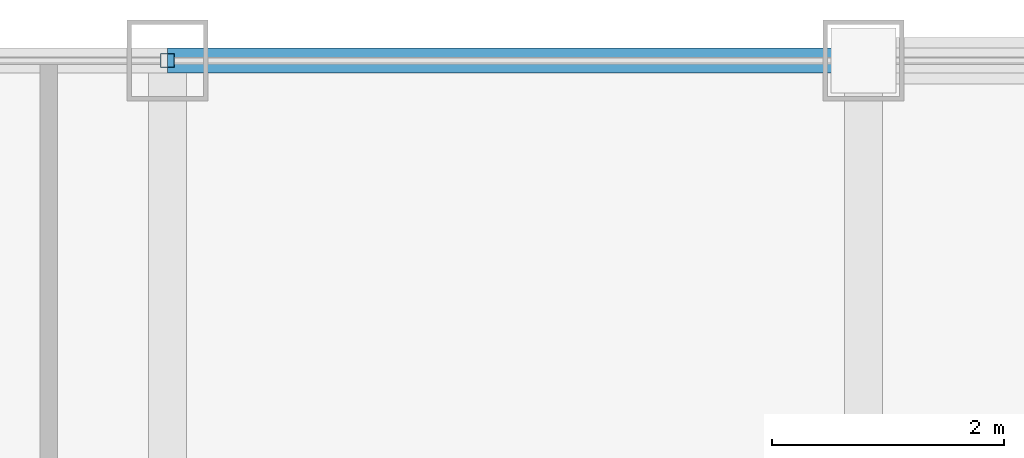
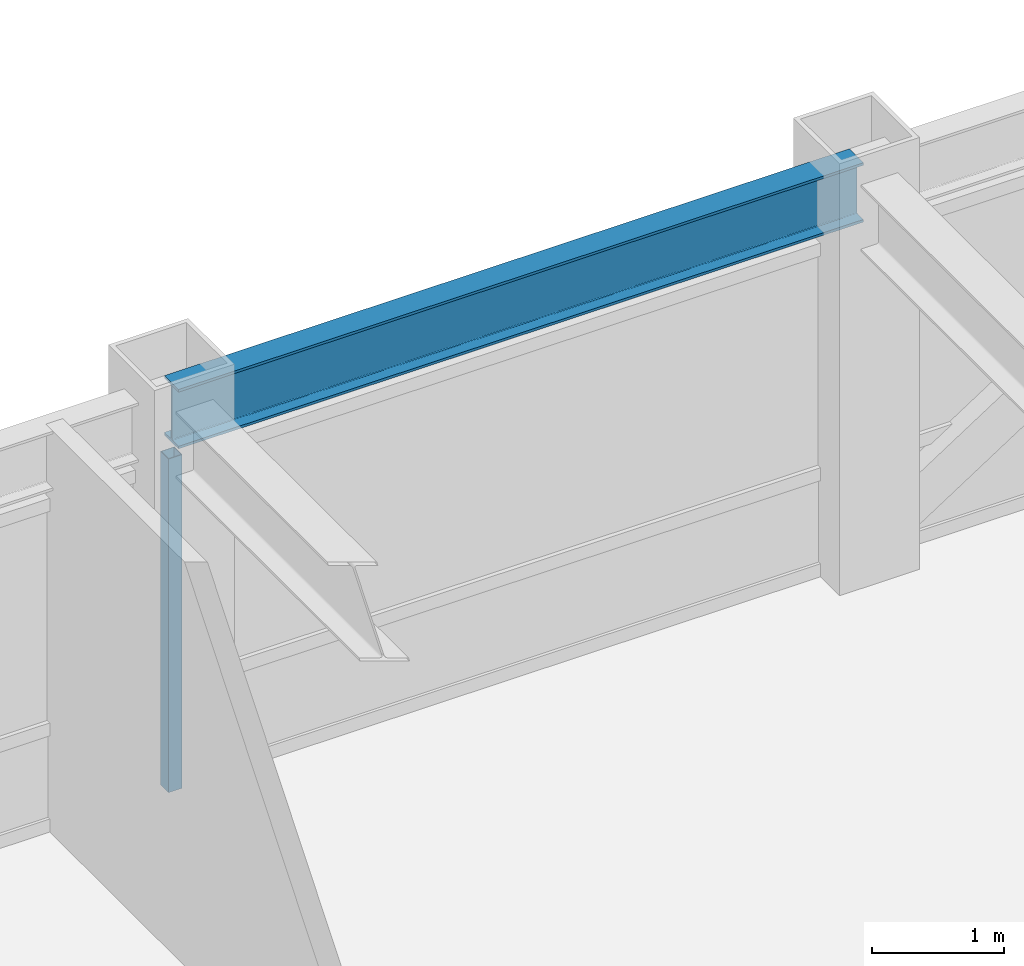
# One storey, part 18 of 29: 1 beam, 1 member, 1 element without a shape of its own.
"""IFC4 building model written with IfcOpenShell, lengths in metres."""

from ifc_helpers import new_model, si_unit, direction, frame, origin, origin_2d, place, context, subcontext, project, spatial, hollow_rectangle, i_section, extrude, source, transform, mapped, material, material_profile, profile_set, type_object, element, aggregate, save


model = new_model("IFC4")

# Units and contexts
model_context = context("Model", 3, precision=1e-05, world=origin(), true_north=direction((0.0, 1.0)))
body_context = subcontext(model_context, "Body", "Model", "MODEL_VIEW")
ifc_project = project(units=[si_unit("LENGTHUNIT", "METRE"), si_unit("AREAUNIT", "SQUARE_METRE"), si_unit("VOLUMEUNIT", "CUBIC_METRE"), si_unit("PLANEANGLEUNIT", "RADIAN"), si_unit("MASSUNIT", "GRAM", prefix="KILO")], contexts=[model_context])

# Site, building, storey
site_placement = place(None, origin())
site = spatial("IfcSite", under=ifc_project, at=site_placement, CompositionType="ELEMENT")
building_placement = place(site_placement, origin())
building = spatial("IfcBuilding", under=site, at=building_placement, Name="Khorayat Bourse Tower", CompositionType="ELEMENT")
storey_placement = place(building_placement, frame((0.0, 0.0, 362.300048828125)))
storey = spatial("IfcBuildingStorey", under=building, at=storey_placement, Name="L86", CompositionType="ELEMENT", Elevation=362.300048828125)

# Beam
ifc_material_1 = material(Name="Steel ASTM A992 Grade 50", Category="steel")
ifc_material_profile_1 = material_profile(ifc_material_1, i_section(OverallWidth=0.214111328125, OverallDepth=0.549072265625, WebThickness=0.0146484375, FlangeThickness=0.023681640625, FilletRadius=0.013916015625, at=origin_2d()), Name="W530X138")
ifc_profile_set_1 = profile_set([ifc_material_profile_1], Name="Steel ASTM A992 Grade 50")
beam_type = type_object("IfcBeamType", Name="BM-SPAN-530", PredefinedType="SPANDREL", material=ifc_profile_set_1)
shared_shape_1 = source(origin(), body_context, "Body", "SweptSolid", [
    extrude(i_section(OverallWidth=0.214111328125, OverallDepth=0.549072265625, WebThickness=0.0146484375, FlangeThickness=0.023681640625, FilletRadius=0.013916015625, at=origin_2d()), origin(), (0.0, 0.0, 1.0), 6.0),
])
beam_placement = place(storey_placement, frame((0.0, 26.0, 3.46533203125), z_axis=(1.0, 0.0, 0.0), x_axis=(0.0, 1.0, 0.0)))
element("IfcBeam", 1, at=beam_placement, inside=storey, type_object=beam_type, Name="L86 BM-SPAN-530 BM-L86-SPN-042", PredefinedType="SPANDREL", context=body_context, shape_type="MappedRepresentation", body=[
    mapped(shared_shape_1, transform((0.0, 0.0, 0.0), scale=1.0)),
])

# Curtain wall, member
ifc_material_2 = material(Name="Aluminium EN AW-6063 T6", Category="aluminium")
curtain_wall_type = type_object("IfcCurtainWallType", Name="CW-SYS-04", PredefinedType="NOTDEFINED", material=ifc_material_2)
curtain_wall_placement = place(storey_placement, origin())
curtain_wall = element("IfcCurtainWall", 2, at=curtain_wall_placement, inside=storey, type_object=curtain_wall_type, Name="L86 Curtain Wall CW-L86-N1", PredefinedType="NOTDEFINED")
ifc_material_profile_2 = material_profile(ifc_material_2, hollow_rectangle(XDim=0.1201171875, YDim=0.1201171875, WallThickness=0.0048828125, at=origin_2d()), Name="ALU 120x120x5")
ifc_profile_set_2 = profile_set([ifc_material_profile_2], Name="Aluminium EN AW-6063 T6")
member_type = type_object("IfcMemberType", Name="CWM-VERT-120", PredefinedType="MULLION", material=ifc_profile_set_2)
shared_shape_2 = source(origin(), body_context, "Body", "SweptSolid", [
    extrude(hollow_rectangle(XDim=0.1201171875, YDim=0.1201171875, WallThickness=0.0048828125, at=origin_2d()), origin(), (0.0, 0.0, 1.0), 3.08984375),
])
member_placement = place(storey_placement, frame((0.0, 26.0, 0.0), z_axis=(0.0, 0.0, 1.0), x_axis=(0.0, 1.0, 0.0)))
member = element("IfcMember", 3, at=member_placement, type_object=member_type, Name="CW-L86-N1 Vertical Mullion 2", PredefinedType="MULLION", context=body_context, shape_type="MappedRepresentation", body=[
    mapped(shared_shape_2, transform((0.0, 0.0, 0.0), scale=1.0)),
])
aggregate(curtain_wall, [member])

save(model, "model.ifc")
